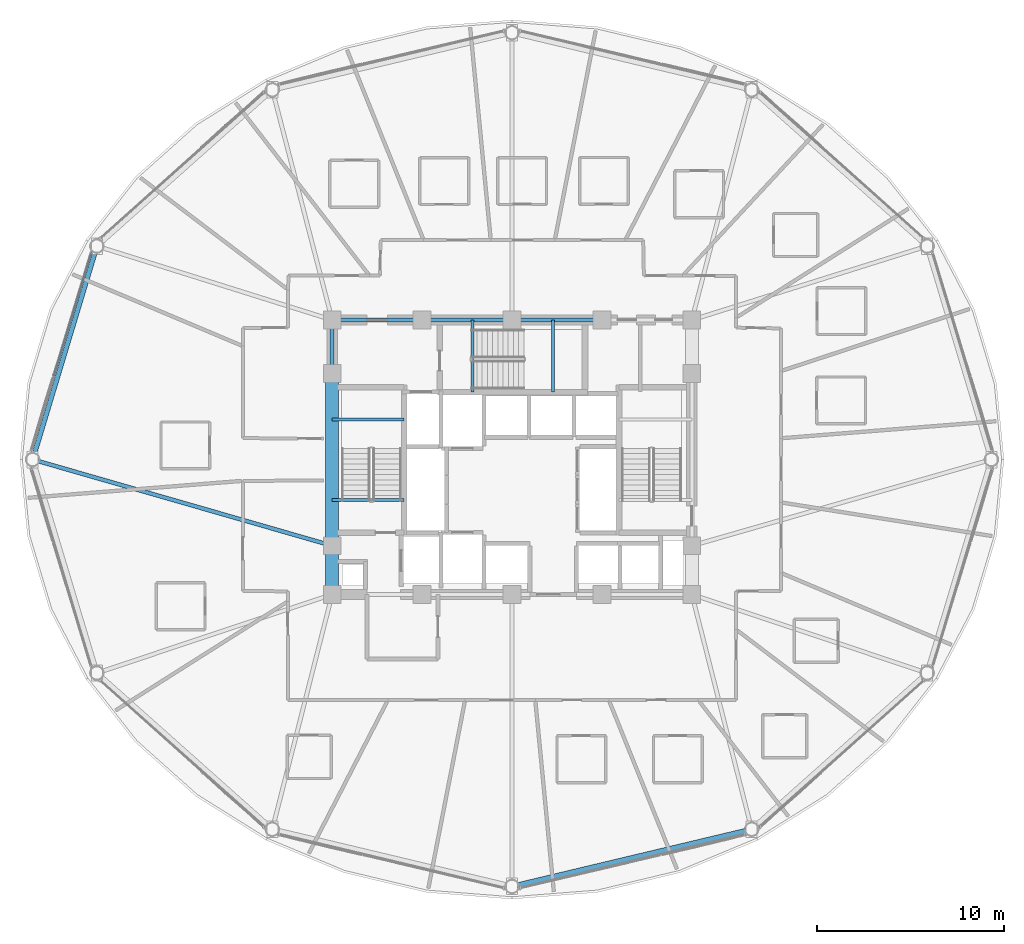
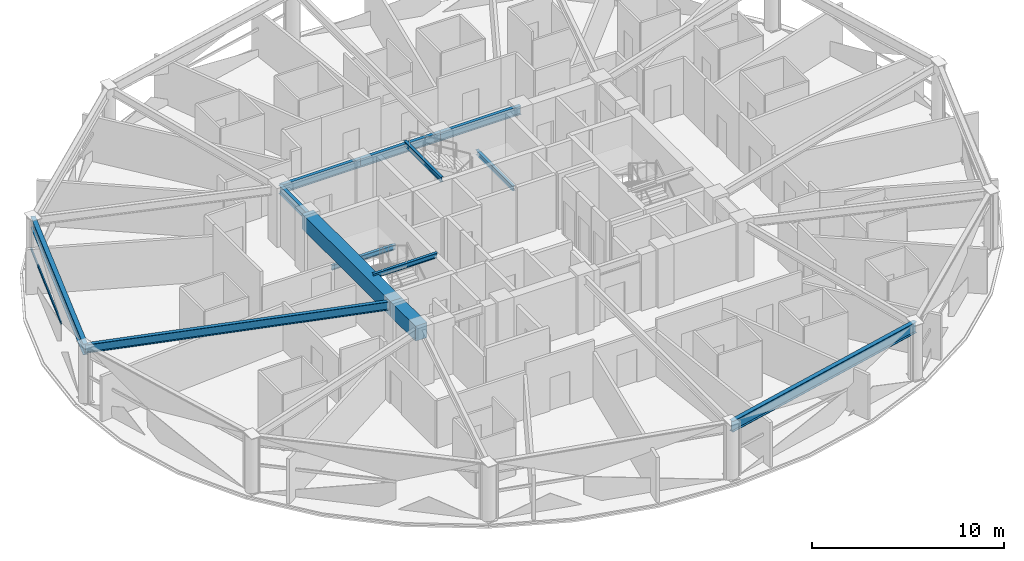
# One storey, part 8 of 32: 13 beams, 1 member, 1 element without a shape of its own.
"""IFC4 building model written with IfcOpenShell, lengths in metres."""

from ifc_helpers import new_model, si_unit, direction, frame, origin, origin_2d, place, context, subcontext, project, spatial, rectangle, hollow_rectangle, i_section, extrude, material, layer, layer_set, material_profile, profile_set, type_object, element, aggregate, save


model = new_model("IFC4")

# Units and contexts
model_context = context("Model", 3, precision=1e-05, world=origin(), true_north=direction((0.0, 1.0)))
body_context = subcontext(model_context, "Body", "Model", "MODEL_VIEW")
ifc_project = project(units=[si_unit("LENGTHUNIT", "METRE"), si_unit("AREAUNIT", "SQUARE_METRE"), si_unit("VOLUMEUNIT", "CUBIC_METRE"), si_unit("PLANEANGLEUNIT", "RADIAN"), si_unit("MASSUNIT", "GRAM", prefix="KILO")], contexts=[model_context])

# Site, building, storey
site_placement = place(None, origin())
site = spatial("IfcSite", under=ifc_project, at=site_placement, CompositionType="ELEMENT")
building_placement = place(site_placement, origin())
building = spatial("IfcBuilding", under=site, at=building_placement, Name="Vantalir Tower", CompositionType="ELEMENT")
storey_placement = place(building_placement, frame((0.0, 0.0, 100.949951171875)))
storey = spatial("IfcBuildingStorey", under=building, at=storey_placement, Name="L24", CompositionType="ELEMENT", Elevation=100.949951171875)

# Beams
ifc_material_1 = material(Name="Concrete C60/75", Category="concrete")
ifc_material_profile_1 = material_profile(ifc_material_1, rectangle(XDim=0.699951171875, YDim=0.949951171875, at=origin_2d()), Name="Concrete C60/75")
ifc_profile_set_1 = profile_set([ifc_material_profile_1], Name="Concrete C60/75")
beam_type_1 = type_object("IfcBeamType", Name="BM-CB-700x950", PredefinedType="USERDEFINED", material=ifc_profile_set_1)
beam_1_placement = place(storey_placement, frame((21.89990234375, 29.60009765625, 3.094970703125), z_axis=(0.0, -1.0, 0.0), x_axis=(1.0, 0.0, 0.0)))
element("IfcBeam", 1, at=beam_1_placement, inside=storey, type_object=beam_type_1, Name="L24 Core Coupling Girder 13", ObjectType="GIRDER", PredefinedType="USERDEFINED", context=body_context, shape_type="SweptSolid", body=[
    extrude(rectangle(XDim=0.699951171875, YDim=0.949951171875, at=origin_2d()), origin(), (0.0, 0.0, 1.0), 9.2001953125),
])
beam_2_placement = place(storey_placement, frame((21.89990234375, 20.39990234375, 3.094970703125), z_axis=(0.0, -1.0, 0.0), x_axis=(1.0, 0.0, 0.0)))
element("IfcBeam", 2, at=beam_2_placement, inside=storey, type_object=beam_type_1, Name="L24 Core Coupling Girder 14", ObjectType="GIRDER", PredefinedType="USERDEFINED", context=body_context, shape_type="SweptSolid", body=[
    extrude(rectangle(XDim=0.699951171875, YDim=0.949951171875, at=origin_2d()), origin(), (0.0, 0.0, 1.0), 2.599853515625),
])
ifc_material_2 = material(Name="Steel S355", Category="steel")
ifc_material_profile_2 = material_profile(ifc_material_2, i_section(OverallWidth=0.166015625, OverallDepth=0.306884765625, WebThickness=0.006591796875, FlangeThickness=0.01171875, at=origin_2d()), Name="Steel S355")
ifc_profile_set_2 = profile_set([ifc_material_profile_2], Name="Steel S355")
beam_type_2 = type_object("IfcBeamType", Name="BM-JS-305x165", PredefinedType="JOIST", material=ifc_profile_set_2)
for number, where, z_axis, x_axis, name in (
    (3, (21.89990234375, 22.8349609375, 3.59716796875), (1.0, 0.0, 0.0), (0.0, 1.0, 0.0), "L25 Stair ST1 Well Nosing Trimmer Beam"),
    (4, (21.89990234375, 27.14501953125, 1.52197265625), (1.0, 0.0, 0.0), (0.0, 1.0, 0.0), "L24 Stair ST1 Half-Landing Support Beam"),
):
    element("IfcBeam", number, at=place(storey_placement, frame(where, z_axis=z_axis, x_axis=x_axis)), inside=storey, type_object=beam_type_2, Name=name, PredefinedType="JOIST", context=body_context, shape_type="SweptSolid", body=[
        extrude(i_section(OverallWidth=0.166015625, OverallDepth=0.306884765625, WebThickness=0.006591796875, FlangeThickness=0.01171875, at=origin_2d()), origin(), (0.0, 0.0, 1.0), 3.840087890625),
    ])
for number, where, z_axis, x_axis, name in (
    (5, (29.385009765625, 28.60009765625, 3.59716796875), (0.0, 1.0, 0.0), (-1.0, 0.0, 0.0), "L25 Stair ST3 Well Nosing Trimmer Beam"),
    (6, (33.695068359375, 28.60009765625, 1.52197265625), (0.0, 1.0, 0.0), (-1.0, 0.0, 0.0), "L24 Stair ST3 Half-Landing Support Beam"),
):
    element("IfcBeam", number, at=place(storey_placement, frame(where, z_axis=z_axis, x_axis=x_axis)), inside=storey, type_object=beam_type_2, Name=name, PredefinedType="JOIST", context=body_context, shape_type="SweptSolid", body=[
        extrude(i_section(OverallWidth=0.166015625, OverallDepth=0.306884765625, WebThickness=0.006591796875, FlangeThickness=0.01171875, at=origin_2d()), origin(), (0.0, 0.0, 1.0), 3.849853515625),
    ])
ifc_material_profile_3 = material_profile(ifc_material_2, i_section(OverallWidth=0.2109375, OverallDepth=0.5390625, WebThickness=0.01171875, FlangeThickness=0.018798828125, at=origin_2d()), Name="Steel S355")
ifc_profile_set_3 = profile_set([ifc_material_profile_3], Name="Steel S355")
beam_type_3 = type_object("IfcBeamType", Name="BM-RB-533x210", PredefinedType="BEAM", material=ifc_profile_set_3)
for number, where, z_axis, x_axis, name in (
    (7, (36.300048828125, 32.449951171875, 3.300048828125), (-1.0, 0.0, 0.0), (0.0, -1.0, 0.0), "L24 Core Coupling Girder 09"),
    (8, (31.5, 32.449951171875, 3.300048828125), (-1.0, 0.0, 0.0), (0.0, -1.0, 0.0), "L24 Core Coupling Girder 10"),
    (9, (26.699951171875, 32.449951171875, 3.300048828125), (-1.0, 0.0, 0.0), (0.0, -1.0, 0.0), "L24 Core Coupling Girder 11"),
):
    element("IfcBeam", number, at=place(storey_placement, frame(where, z_axis=z_axis, x_axis=x_axis)), inside=storey, type_object=beam_type_3, Name=name, PredefinedType="BEAM", context=body_context, shape_type="SweptSolid", body=[
        extrude(i_section(OverallWidth=0.2109375, OverallDepth=0.5390625, WebThickness=0.01171875, FlangeThickness=0.018798828125, at=origin_2d()), origin(), (0.0, 0.0, 1.0), 4.800048828125),
    ])
beam_3_placement = place(storey_placement, frame((21.89990234375, 32.449951171875, 3.300048828125), z_axis=(0.0, -1.0, 0.0), x_axis=(1.0, 0.0, 0.0)))
element("IfcBeam", 10, at=beam_3_placement, inside=storey, type_object=beam_type_3, Name="L24 Core Coupling Girder 12", PredefinedType="BEAM", context=body_context, shape_type="SweptSolid", body=[
    extrude(i_section(OverallWidth=0.2109375, OverallDepth=0.5390625, WebThickness=0.01171875, FlangeThickness=0.018798828125, at=origin_2d()), origin(), (0.0, 0.0, 1.0), 2.849853515625),
])
beam_4_placement = place(storey_placement, frame((5.912109375, 25.0, 3.300048828125), z_axis=(0.961011705277, -0.276507689442, 0.0), x_axis=(0.276507689442, 0.961011705277, 0.0)))
element("IfcBeam", 11, at=beam_4_placement, inside=storey, type_object=beam_type_3, Name="L24 Radial Floor Beam 07", PredefinedType="BEAM", context=body_context, shape_type="SweptSolid", body=[
    extrude(i_section(OverallWidth=0.2109375, OverallDepth=0.5390625, WebThickness=0.01171875, FlangeThickness=0.018798828125, at=origin_2d()), origin(), (0.0, 0.0, 1.0), 16.636474609375),
])
ifc_material_3 = material(Name="Steel S460", Category="steel")
ifc_material_profile_4 = material_profile(ifc_material_3, i_section(OverallWidth=0.256103515625, OverallDepth=0.693115234375, WebThickness=0.014404296875, FlangeThickness=0.023681640625, at=origin_2d()), Name="Steel S460")
ifc_profile_set_4 = profile_set([ifc_material_profile_4], Name="Steel S460")
beam_type_4 = type_object("IfcBeamType", Name="BM-RG-686x254", PredefinedType="USERDEFINED", material=ifc_profile_set_4)
beam_5_placement = place(storey_placement, frame((9.340087890625, 36.39404296875, 3.22314453125), z_axis=(-0.288100770592, -0.95760009711, 0.0), x_axis=(0.95760009711, -0.288100770592, 0.0)))
element("IfcBeam", 12, at=beam_5_placement, inside=storey, type_object=beam_type_4, Name="L24 Circumferential Ring Girder 06", ObjectType="GIRDER", PredefinedType="USERDEFINED", context=body_context, shape_type="SweptSolid", body=[
    extrude(i_section(OverallWidth=0.256103515625, OverallDepth=0.693115234375, WebThickness=0.014404296875, FlangeThickness=0.023681640625, at=origin_2d()), origin(), (0.0, 0.0, 1.0), 11.8984375),
])
beam_6_placement = place(storey_placement, frame((31.5, 2.2119140625, 3.22314453125), z_axis=(0.972689585219, 0.232109824883, 0.0), x_axis=(-0.232109824883, 0.972689585219, 0.0)))
element("IfcBeam", 13, at=beam_6_placement, inside=storey, type_object=beam_type_4, Name="L24 Circumferential Ring Girder 10", ObjectType="GIRDER", PredefinedType="USERDEFINED", context=body_context, shape_type="SweptSolid", body=[
    extrude(i_section(OverallWidth=0.256103515625, OverallDepth=0.693115234375, WebThickness=0.014404296875, FlangeThickness=0.023681640625, at=origin_2d()), origin(), (0.0, 0.0, 1.0), 13.153076171875),
])

# Curtain wall, member
ifc_material_4 = material(Name="Champagne-silver PVDF aluminium and double-silver Low-E glass", Category="aluminium")
ifc_layer = layer(ifc_material_4, 0.199951171875)
ifc_layer_set = layer_set([ifc_layer], Name="Champagne-silver PVDF aluminium and double-silver Low-E glass")
curtain_wall_type = type_object("IfcCurtainWallType", Name="CW-DIAMOND-Z2", PredefinedType="USERDEFINED", material=ifc_layer_set)
curtain_wall_placement = place(storey_placement, origin())
curtain_wall = element("IfcCurtainWall", 14, at=curtain_wall_placement, inside=storey, type_object=curtain_wall_type, Name="L24 Quilted Pyramid-Diamond Curtain Wall S06", ObjectType="UNITISED CURTAIN WALL", PredefinedType="USERDEFINED")
ifc_material_5 = material(Name="Champagne-silver PVDF aluminium 6063-T6", Category="aluminium")
ifc_material_profile_5 = material_profile(ifc_material_5, hollow_rectangle(XDim=0.074951171875, YDim=0.159912109375, WallThickness=0.00390625, at=origin_2d()), Name="Champagne-silver PVDF aluminium 6063-T6")
ifc_profile_set_5 = profile_set([ifc_material_profile_5], Name="Champagne-silver PVDF aluminium 6063-T6")
member_type = type_object("IfcMemberType", Name="CWT-160x75", PredefinedType="USERDEFINED", material=ifc_profile_set_5)
member_placement = place(storey_placement, frame((9.049072265625, 36.068115234375, 1.78515625), z_axis=(-0.291191199966, -0.956664876047, 0.0), x_axis=(0.956664876047, -0.291191199966, 0.0)))
member = element("IfcMember", 15, at=member_placement, type_object=member_type, Name="CW-L24-S06 Pyramid Fold Ridge Transom", ObjectType="TRANSOM", PredefinedType="USERDEFINED", context=body_context, shape_type="SweptSolid", body=[
    extrude(hollow_rectangle(XDim=0.074951171875, YDim=0.159912109375, WallThickness=0.00390625, at=origin_2d()), origin(), (0.0, 0.0, 1.0), 6.89599609375),
])
aggregate(curtain_wall, [member])

save(model, "model.ifc")
